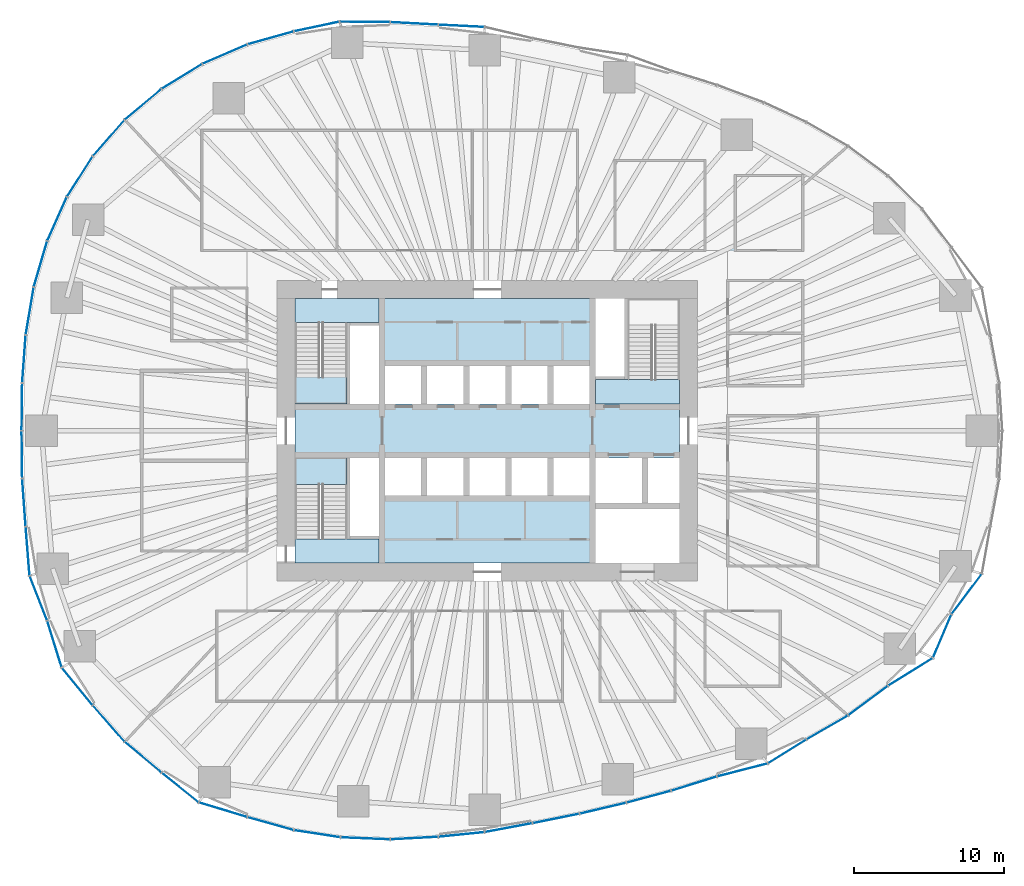
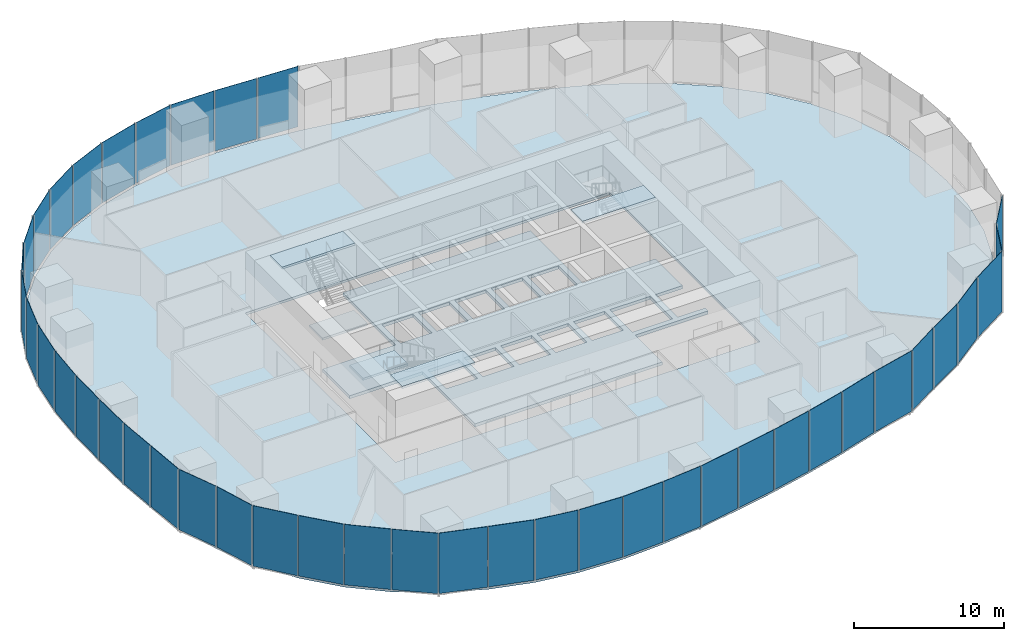
# One storey, part 8 of 20: 42 plates, 7 slabs, 17 elements without a shape of their own.
"""IFC4 building model written with IfcOpenShell, lengths in metres."""

from ifc_helpers import new_model, si_unit, direction, frame, origin, origin_2d, place, context, subcontext, project, spatial, polyline, rectangle, outline, extrude, material, layer, layer_set, type_object, element, aggregate, save


model = new_model("IFC4")

# Units and contexts
model_context = context("Model", 3, precision=1e-05, world=origin(), true_north=direction((0.0, 1.0)))
body_context = subcontext(model_context, "Body", "Model", "MODEL_VIEW")
ifc_project = project(units=[si_unit("LENGTHUNIT", "METRE"), si_unit("AREAUNIT", "SQUARE_METRE"), si_unit("VOLUMEUNIT", "CUBIC_METRE"), si_unit("PLANEANGLEUNIT", "RADIAN"), si_unit("MASSUNIT", "GRAM", prefix="KILO")], contexts=[model_context])

# Site, building, storey
site_placement = place(None, origin())
site = spatial("IfcSite", under=ifc_project, at=site_placement, CompositionType="ELEMENT")
building_placement = place(site_placement, origin())
building = spatial("IfcBuilding", under=site, at=building_placement, Name="Ghaith Harvest Tower", CompositionType="ELEMENT")
storey_placement = place(building_placement, frame((0.0, 0.0, 25.0)))
storey = spatial("IfcBuildingStorey", under=building, at=storey_placement, Name="L05", CompositionType="ELEMENT", Elevation=25.0)

# Curtain wall, plates
ifc_material_1 = material(Name="Black anodised aluminium and fritted glass", Category="aluminium")
curtain_wall_type = type_object("IfcCurtainWallType", Name="CW-F CURTAIN WALL", PredefinedType="NOTDEFINED", material=ifc_material_1)
curtain_wall_1_placement = place(storey_placement, origin())
curtain_wall_1 = element("IfcCurtainWall", 1, at=curtain_wall_1_placement, inside=storey, type_object=curtain_wall_type, Name="Curtain wall CW-F bay 06 L05", PredefinedType="NOTDEFINED")
ifc_material_2 = material(Name="Glass, high-transmission fritted double glazed unit", Category="glass")
ifc_layer_1 = layer(ifc_material_2, 0.028076171875)
ifc_layer_set_1 = layer_set([ifc_layer_1], Name="CW-F VISION PANEL")
plate_type = type_object("IfcPlateType", Name="CW-F VISION PANEL", PredefinedType="CURTAIN_PANEL", material=ifc_layer_set_1)
plate_1_placement = place(storey_placement, frame((-1.722900390625, 26.953369140625, 0.080078125), z_axis=(0.0, 0.0, 1.0), x_axis=(-0.998771443485, 0.049554048048, 0.0)))
plate_1 = element("IfcPlate", 2, at=plate_1_placement, type_object=plate_type, Name="CW-F panel 1 bay 06 L05", PredefinedType="CURTAIN_PANEL", context=body_context, shape_type="SweptSolid", body=[
    extrude(rectangle(XDim=3.001708984375, YDim=0.028076171875, at=origin_2d()), origin(), (0.0, 0.0, 1.0), 4.919921875),
])
plate_2_placement = place(storey_placement, frame((-4.863525390625, 27.11572265625, 0.080078125), z_axis=(0.0, 0.0, 1.0), x_axis=(-0.99856250263, 0.053599704667, 0.0)))
plate_2 = element("IfcPlate", 3, at=plate_2_placement, type_object=plate_type, Name="CW-F panel 2 bay 06 L05", PredefinedType="CURTAIN_PANEL", context=body_context, shape_type="SweptSolid", body=[
    extrude(rectangle(XDim=3.1279296875, YDim=0.028076171875, at=origin_2d()), origin(), (0.0, 0.0, 1.0), 4.919921875),
])
plate_3_placement = place(storey_placement, frame((-8.150390625, 27.217041015625, 0.080078125), z_axis=(0.0, 0.0, 1.0), x_axis=(-0.999959609481, 0.008987736446, 0.0)))
plate_3 = element("IfcPlate", 4, at=plate_3_placement, type_object=plate_type, Name="CW-F panel 3 bay 06 L05", PredefinedType="CURTAIN_PANEL", context=body_context, shape_type="SweptSolid", body=[
    extrude(rectangle(XDim=3.29052734375, YDim=0.028076171875, at=origin_2d()), origin(), (0.0, 0.0, 1.0), 4.919921875),
])
aggregate(curtain_wall_1, [plate_1, plate_2, plate_3])

curtain_wall_2_placement = place(storey_placement, origin())
curtain_wall_2 = element("IfcCurtainWall", 5, at=curtain_wall_2_placement, inside=storey, type_object=curtain_wall_type, Name="Curtain wall CW-F bay 07 L05", PredefinedType="NOTDEFINED")
plate_4_placement = place(storey_placement, frame((-11.358154296875, 26.908447265625, 0.080078125), z_axis=(0.0, 0.0, 1.0), x_axis=(-0.978149320779, -0.207903598476, 0.0)))
plate_4 = element("IfcPlate", 6, at=plate_4_placement, type_object=plate_type, Name="CW-F panel 1 bay 07 L05", PredefinedType="CURTAIN_PANEL", context=body_context, shape_type="SweptSolid", body=[
    extrude(rectangle(XDim=3.032958984375, YDim=0.028076171875, at=origin_2d()), origin(), (0.0, 0.0, 1.0), 4.919921875),
])
plate_5_placement = place(storey_placement, frame((-14.42578125, 26.150634765625, 0.080078125), z_axis=(0.0, 0.0, 1.0), x_axis=(-0.96272968243, -0.270465448012, 0.0)))
plate_5 = element("IfcPlate", 7, at=plate_5_placement, type_object=plate_type, Name="CW-F panel 2 bay 07 L05", PredefinedType="CURTAIN_PANEL", context=body_context, shape_type="SweptSolid", body=[
    extrude(rectangle(XDim=3.13037109375, YDim=0.028076171875, at=origin_2d()), origin(), (0.0, 0.0, 1.0), 4.919921875),
])
plate_6_placement = place(storey_placement, frame((-17.46923828125, 25.0693359375, 0.080078125), z_axis=(0.0, 0.0, 1.0), x_axis=(-0.918002845228, -0.396573796605, 0.0)))
plate_6 = element("IfcPlate", 8, at=plate_6_placement, type_object=plate_type, Name="CW-F panel 3 bay 07 L05", PredefinedType="CURTAIN_PANEL", context=body_context, shape_type="SweptSolid", body=[
    extrude(rectangle(XDim=3.18359375, YDim=0.028076171875, at=origin_2d()), origin(), (0.0, 0.0, 1.0), 4.919921875),
])
aggregate(curtain_wall_2, [plate_4, plate_5, plate_6])

curtain_wall_3_placement = place(storey_placement, origin())
curtain_wall_3 = element("IfcCurtainWall", 9, at=curtain_wall_3_placement, inside=storey, type_object=curtain_wall_type, Name="Curtain wall CW-F bay 08 L05", PredefinedType="NOTDEFINED")
plate_7_placement = place(storey_placement, frame((-20.324462890625, 23.590087890625, 0.080078125), z_axis=(0.0, 0.0, 1.0), x_axis=(-0.852527741552, -0.522681977769, 0.0)))
plate_7 = element("IfcPlate", 10, at=plate_7_placement, type_object=plate_type, Name="CW-F panel 1 bay 08 L05", PredefinedType="CURTAIN_PANEL", context=body_context, shape_type="SweptSolid", body=[
    extrude(rectangle(XDim=3.10400390625, YDim=0.028076171875, at=origin_2d()), origin(), (0.0, 0.0, 1.0), 4.919921875),
])
plate_8_placement = place(storey_placement, frame((-22.91064453125, 21.727294921875, 0.080078125), z_axis=(0.0, 0.0, 1.0), x_axis=(-0.766155215147, -0.642655573619, 0.0)))
plate_8 = element("IfcPlate", 11, at=plate_8_placement, type_object=plate_type, Name="CW-F panel 2 bay 08 L05", PredefinedType="CURTAIN_PANEL", context=body_context, shape_type="SweptSolid", body=[
    extrude(rectangle(XDim=3.1279296875, YDim=0.028076171875, at=origin_2d()), origin(), (0.0, 0.0, 1.0), 4.919921875),
])
plate_9_placement = place(storey_placement, frame((-25.201171875, 19.4853515625, 0.080078125), z_axis=(0.0, 0.0, 1.0), x_axis=(-0.659215937547, -0.751953687194, 0.0)))
plate_9 = element("IfcPlate", 12, at=plate_9_placement, type_object=plate_type, Name="CW-F panel 3 bay 08 L05", PredefinedType="CURTAIN_PANEL", context=body_context, shape_type="SweptSolid", body=[
    extrude(rectangle(XDim=3.1416015625, YDim=0.028076171875, at=origin_2d()), origin(), (0.0, 0.0, 1.0), 4.919921875),
])
aggregate(curtain_wall_3, [plate_7, plate_8, plate_9])

curtain_wall_4_placement = place(storey_placement, origin())
curtain_wall_4 = element("IfcCurtainWall", 13, at=curtain_wall_4_placement, inside=storey, type_object=curtain_wall_type, Name="Curtain wall CW-F bay 09 L05", PredefinedType="NOTDEFINED")
plate_10_placement = place(storey_placement, frame((-27.124755859375, 16.919677734375, 0.080078125), z_axis=(0.0, 0.0, 1.0), x_axis=(-0.536779195227, -0.843722759899, 0.0)))
plate_10 = element("IfcPlate", 14, at=plate_10_placement, type_object=plate_type, Name="CW-F panel 1 bay 09 L05", PredefinedType="CURTAIN_PANEL", context=body_context, shape_type="SweptSolid", body=[
    extrude(rectangle(XDim=3.13037109375, YDim=0.028076171875, at=origin_2d()), origin(), (0.0, 0.0, 1.0), 4.919921875),
])
plate_11_placement = place(storey_placement, frame((-28.639404296875, 14.100341796875, 0.080078125), z_axis=(0.0, 0.0, 1.0), x_axis=(-0.407134417018, -0.913368253488, 0.0)))
plate_11 = element("IfcPlate", 15, at=plate_11_placement, type_object=plate_type, Name="CW-F panel 2 bay 09 L05", PredefinedType="CURTAIN_PANEL", context=body_context, shape_type="SweptSolid", body=[
    extrude(rectangle(XDim=3.1279296875, YDim=0.028076171875, at=origin_2d()), origin(), (0.0, 0.0, 1.0), 4.919921875),
])
plate_12_placement = place(storey_placement, frame((-29.740478515625, 11.101318359375, 0.080078125), z_axis=(0.0, 0.0, 1.0), x_axis=(-0.280296918708, -0.959913348882, 0.0)))
plate_12 = element("IfcPlate", 16, at=plate_12_placement, type_object=plate_type, Name="CW-F panel 3 bay 09 L05", PredefinedType="CURTAIN_PANEL", context=body_context, shape_type="SweptSolid", body=[
    extrude(rectangle(XDim=3.1162109375, YDim=0.028076171875, at=origin_2d()), origin(), (0.0, 0.0, 1.0), 4.919921875),
])
aggregate(curtain_wall_4, [plate_10, plate_11, plate_12])

curtain_wall_5_placement = place(storey_placement, origin())
curtain_wall_5 = element("IfcCurtainWall", 17, at=curtain_wall_5_placement, inside=storey, type_object=curtain_wall_type, Name="Curtain wall CW-F bay 10 L05", PredefinedType="NOTDEFINED")
plate_13_placement = place(storey_placement, frame((-30.456298828125, 7.971435546875, 0.080078125), z_axis=(0.0, 0.0, 1.0), x_axis=(-0.165581316368, -0.986196140567, 0.0)))
plate_13 = element("IfcPlate", 18, at=plate_13_placement, type_object=plate_type, Name="CW-F panel 1 bay 10 L05", PredefinedType="CURTAIN_PANEL", context=body_context, shape_type="SweptSolid", body=[
    extrude(rectangle(XDim=3.156494140625, YDim=0.028076171875, at=origin_2d()), origin(), (0.0, 0.0, 1.0), 4.919921875),
])
plate_14_placement = place(storey_placement, frame((-30.84033203125, 4.77685546875, 0.080078125), z_axis=(0.0, 0.0, 1.0), x_axis=(-0.072420546123, -0.997374184797, 0.0)))
plate_14 = element("IfcPlate", 19, at=plate_14_placement, type_object=plate_type, Name="CW-F panel 2 bay 10 L05", PredefinedType="CURTAIN_PANEL", context=body_context, shape_type="SweptSolid", body=[
    extrude(rectangle(XDim=3.1259765625, YDim=0.028076171875, at=origin_2d()), origin(), (0.0, 0.0, 1.0), 4.919921875),
])
plate_15_placement = place(storey_placement, frame((-30.975830078125, 1.589111328125, 0.080078125), z_axis=(0.0, 0.0, 1.0), x_axis=(-0.012133206476, -0.999926389941, 0.0)))
plate_15 = element("IfcPlate", 20, at=plate_15_placement, type_object=plate_type, Name="CW-F panel 3 bay 10 L05", PredefinedType="CURTAIN_PANEL", context=body_context, shape_type="SweptSolid", body=[
    extrude(rectangle(XDim=3.09814453125, YDim=0.028076171875, at=origin_2d()), origin(), (0.0, 0.0, 1.0), 4.919921875),
])
aggregate(curtain_wall_5, [plate_13, plate_14, plate_15])

curtain_wall_6_placement = place(storey_placement, origin())
curtain_wall_6 = element("IfcCurtainWall", 21, at=curtain_wall_6_placement, inside=storey, type_object=curtain_wall_type, Name="Curtain wall CW-F bay 11 L05", PredefinedType="NOTDEFINED")
plate_16_placement = place(storey_placement, frame((-30.975830078125, -1.589111328125, 0.080078125), z_axis=(0.0, 0.0, 1.0), x_axis=(0.012133206773, -0.999926389937, 0.0)))
plate_16 = element("IfcPlate", 22, at=plate_16_placement, type_object=plate_type, Name="CW-F panel 1 bay 11 L05", PredefinedType="CURTAIN_PANEL", context=body_context, shape_type="SweptSolid", body=[
    extrude(rectangle(XDim=3.09814453125, YDim=0.028076171875, at=origin_2d()), origin(), (0.0, 0.0, 1.0), 4.919921875),
])
plate_17_placement = place(storey_placement, frame((-30.84033203125, -4.77685546875, 0.080078125), z_axis=(0.0, 0.0, 1.0), x_axis=(0.072420546349, -0.99737418478, 0.0)))
plate_17 = element("IfcPlate", 23, at=plate_17_placement, type_object=plate_type, Name="CW-F panel 2 bay 11 L05", PredefinedType="CURTAIN_PANEL", context=body_context, shape_type="SweptSolid", body=[
    extrude(rectangle(XDim=3.1259765625, YDim=0.028076171875, at=origin_2d()), origin(), (0.0, 0.0, 1.0), 4.919921875),
])
plate_18_placement = place(storey_placement, frame((-30.594482421875, -8.01513671875, 0.080078125), z_axis=(0.0, 0.0, 1.0), x_axis=(0.078867084181, -0.996885140341, 0.0)))
plate_18 = element("IfcPlate", 24, at=plate_18_placement, type_object=plate_type, Name="CW-F panel 3 bay 11 L05", PredefinedType="CURTAIN_PANEL", context=body_context, shape_type="SweptSolid", body=[
    extrude(rectangle(XDim=3.209716796875, YDim=0.028076171875, at=origin_2d()), origin(), (0.0, 0.0, 1.0), 4.919921875),
])
aggregate(curtain_wall_6, [plate_16, plate_17, plate_18])

curtain_wall_7_placement = place(storey_placement, origin())
curtain_wall_7 = element("IfcCurtainWall", 25, at=curtain_wall_7_placement, inside=storey, type_object=curtain_wall_type, Name="Curtain wall CW-F bay 12 L05", PredefinedType="NOTDEFINED")
plate_19_placement = place(storey_placement, frame((-29.878662109375, -11.14501953125, 0.080078125), z_axis=(0.0, 0.0, 1.0), x_axis=(0.366039738151, -0.930599220983, 0.0)))
plate_19 = element("IfcPlate", 26, at=plate_19_placement, type_object=plate_type, Name="CW-F panel 1 bay 12 L05", PredefinedType="CURTAIN_PANEL", context=body_context, shape_type="SweptSolid", body=[
    extrude(rectangle(XDim=3.122802734375, YDim=0.028076171875, at=origin_2d()), origin(), (0.0, 0.0, 1.0), 4.919921875),
])
plate_20_placement = place(storey_placement, frame((-28.809814453125, -14.195068359375, 0.080078125), z_axis=(0.0, 0.0, 1.0), x_axis=(0.295583054454, -0.95531704576, 0.0)))
plate_20 = element("IfcPlate", 27, at=plate_20_placement, type_object=plate_type, Name="CW-F panel 2 bay 12 L05", PredefinedType="CURTAIN_PANEL", context=body_context, shape_type="SweptSolid", body=[
    extrude(rectangle(XDim=3.185546875, YDim=0.028076171875, at=origin_2d()), origin(), (0.0, 0.0, 1.0), 4.919921875),
])
plate_21_placement = place(storey_placement, frame((-27.295166015625, -17.014404296875, 0.080078125), z_axis=(0.0, 0.0, 1.0), x_axis=(0.633789860881, -0.773505276158, 0.0)))
plate_21 = element("IfcPlate", 28, at=plate_21_placement, type_object=plate_type, Name="CW-F panel 3 bay 12 L05", PredefinedType="CURTAIN_PANEL", context=body_context, shape_type="SweptSolid", body=[
    extrude(rectangle(XDim=3.1767578125, YDim=0.028076171875, at=origin_2d()), origin(), (0.0, 0.0, 1.0), 4.919921875),
])
aggregate(curtain_wall_7, [plate_19, plate_20, plate_21])

curtain_wall_8_placement = place(storey_placement, origin())
curtain_wall_8 = element("IfcCurtainWall", 29, at=curtain_wall_8_placement, inside=storey, type_object=curtain_wall_type, Name="Curtain wall CW-F bay 13 L05", PredefinedType="NOTDEFINED")
plate_22_placement = place(storey_placement, frame((-25.201171875, -19.4853515625, 0.080078125), z_axis=(0.0, 0.0, 1.0), x_axis=(0.659215937337, -0.751953687378, 0.0)))
plate_22 = element("IfcPlate", 30, at=plate_22_placement, type_object=plate_type, Name="CW-F panel 1 bay 13 L05", PredefinedType="CURTAIN_PANEL", context=body_context, shape_type="SweptSolid", body=[
    extrude(rectangle(XDim=3.1416015625, YDim=0.028076171875, at=origin_2d()), origin(), (0.0, 0.0, 1.0), 4.919921875),
])
plate_23_placement = place(storey_placement, frame((-22.91064453125, -21.727294921875, 0.080078125), z_axis=(0.0, 0.0, 1.0), x_axis=(0.76615521545, -0.642655573258, 0.0)))
plate_23 = element("IfcPlate", 31, at=plate_23_placement, type_object=plate_type, Name="CW-F panel 2 bay 13 L05", PredefinedType="CURTAIN_PANEL", context=body_context, shape_type="SweptSolid", body=[
    extrude(rectangle(XDim=3.1279296875, YDim=0.028076171875, at=origin_2d()), origin(), (0.0, 0.0, 1.0), 4.919921875),
])
plate_24_placement = place(storey_placement, frame((-20.447265625, -23.748046875, 0.080078125), z_axis=(0.0, 0.0, 1.0), x_axis=(0.780122054158, -0.625627349639, 0.0)))
plate_24 = element("IfcPlate", 32, at=plate_24_placement, type_object=plate_type, Name="CW-F panel 3 bay 13 L05", PredefinedType="CURTAIN_PANEL", context=body_context, shape_type="SweptSolid", body=[
    extrude(rectangle(XDim=3.085205078125, YDim=0.028076171875, at=origin_2d()), origin(), (0.0, 0.0, 1.0), 4.919921875),
])
aggregate(curtain_wall_8, [plate_22, plate_23, plate_24])

curtain_wall_9_placement = place(storey_placement, origin())
curtain_wall_9 = element("IfcCurtainWall", 33, at=curtain_wall_9_placement, inside=storey, type_object=curtain_wall_type, Name="Curtain wall CW-F bay 14 L05", PredefinedType="NOTDEFINED")
plate_25_placement = place(storey_placement, frame((-17.591796875, -25.227294921875, 0.080078125), z_axis=(0.0, 0.0, 1.0), x_axis=(0.95734234218, -0.288956121011, 0.0)))
plate_25 = element("IfcPlate", 34, at=plate_25_placement, type_object=plate_type, Name="CW-F panel 1 bay 14 L05", PredefinedType="CURTAIN_PANEL", context=body_context, shape_type="SweptSolid", body=[
    extrude(rectangle(XDim=3.3056640625, YDim=0.028076171875, at=origin_2d()), origin(), (0.0, 0.0, 1.0), 4.919921875),
])
plate_26_placement = place(storey_placement, frame((-14.42578125, -26.150634765625, 0.080078125), z_axis=(0.0, 0.0, 1.0), x_axis=(0.962729682704, -0.270465447038, 0.0)))
plate_26 = element("IfcPlate", 35, at=plate_26_placement, type_object=plate_type, Name="CW-F panel 2 bay 14 L05", PredefinedType="CURTAIN_PANEL", context=body_context, shape_type="SweptSolid", body=[
    extrude(rectangle(XDim=3.13037109375, YDim=0.028076171875, at=origin_2d()), origin(), (0.0, 0.0, 1.0), 4.919921875),
])
plate_27_placement = place(storey_placement, frame((-11.327392578125, -26.82373046875, 0.080078125), z_axis=(0.0, 0.0, 1.0), x_axis=(0.98836987371, -0.152069039392, 0.0)))
plate_27 = element("IfcPlate", 36, at=plate_27_placement, type_object=plate_type, Name="CW-F panel 3 bay 14 L05", PredefinedType="CURTAIN_PANEL", context=body_context, shape_type="SweptSolid", body=[
    extrude(rectangle(XDim=3.0625, YDim=0.028076171875, at=origin_2d()), origin(), (0.0, 0.0, 1.0), 4.919921875),
])
aggregate(curtain_wall_9, [plate_25, plate_26, plate_27])

curtain_wall_10_placement = place(storey_placement, origin())
curtain_wall_10 = element("IfcCurtainWall", 37, at=curtain_wall_10_placement, inside=storey, type_object=curtain_wall_type, Name="Curtain wall CW-F bay 15 L05", PredefinedType="NOTDEFINED")
plate_28_placement = place(storey_placement, frame((-8.119873046875, -27.13232421875, 0.080078125), z_axis=(0.0, 0.0, 1.0), x_axis=(0.999118988518, -0.041967210794, 0.0)))
plate_28 = element("IfcPlate", 38, at=plate_28_placement, type_object=plate_type, Name="CW-F panel 1 bay 15 L05", PredefinedType="CURTAIN_PANEL", context=body_context, shape_type="SweptSolid", body=[
    extrude(rectangle(XDim=3.232177734375, YDim=0.028076171875, at=origin_2d()), origin(), (0.0, 0.0, 1.0), 4.919921875),
])
plate_29_placement = place(storey_placement, frame((-4.863525390625, -27.11572265625, 0.080078125), z_axis=(0.0, 0.0, 1.0), x_axis=(0.998562502616, 0.053599704928, 0.0)))
plate_29 = element("IfcPlate", 39, at=plate_29_placement, type_object=plate_type, Name="CW-F panel 2 bay 15 L05", PredefinedType="CURTAIN_PANEL", context=body_context, shape_type="SweptSolid", body=[
    extrude(rectangle(XDim=3.1279296875, YDim=0.028076171875, at=origin_2d()), origin(), (0.0, 0.0, 1.0), 4.919921875),
])
plate_30_placement = place(storey_placement, frame((-1.722412109375, -26.87353515625, 0.080078125), z_axis=(0.0, 0.0, 1.0), x_axis=(0.99488222177, 0.101041401443, 0.0)))
plate_30 = element("IfcPlate", 40, at=plate_30_placement, type_object=plate_type, Name="CW-F panel 3 bay 15 L05", PredefinedType="CURTAIN_PANEL", context=body_context, shape_type="SweptSolid", body=[
    extrude(rectangle(XDim=3.014892578125, YDim=0.028076171875, at=origin_2d()), origin(), (0.0, 0.0, 1.0), 4.919921875),
])
aggregate(curtain_wall_10, [plate_28, plate_29, plate_30])

curtain_wall_11_placement = place(storey_placement, origin())
curtain_wall_11 = element("IfcCurtainWall", 41, at=curtain_wall_11_placement, inside=storey, type_object=curtain_wall_type, Name="Curtain wall CW-F bay 16 L05", PredefinedType="NOTDEFINED")
plate_31_placement = place(storey_placement, frame((1.4130859375, -26.420166015625, 0.080078125), z_axis=(0.0, 0.0, 1.0), x_axis=(0.983131230266, 0.182901569365, 0.0)))
plate_31 = element("IfcPlate", 42, at=plate_31_placement, type_object=plate_type, Name="CW-F panel 1 bay 16 L05", PredefinedType="CURTAIN_PANEL", context=body_context, shape_type="SweptSolid", body=[
    extrude(rectangle(XDim=3.166748046875, YDim=0.028076171875, at=origin_2d()), origin(), (0.0, 0.0, 1.0), 4.919921875),
])
plate_32_placement = place(storey_placement, frame((4.5732421875, -25.809326171875, 0.080078125), z_axis=(0.0, 0.0, 1.0), x_axis=(0.98043234808, 0.196856320293, 0.0)))
plate_32 = element("IfcPlate", 43, at=plate_32_placement, type_object=plate_type, Name="CW-F panel 2 bay 16 L05", PredefinedType="CURTAIN_PANEL", context=body_context, shape_type="SweptSolid", body=[
    extrude(rectangle(XDim=3.1103515625, YDim=0.028076171875, at=origin_2d()), origin(), (0.0, 0.0, 1.0), 4.919921875),
])
plate_33_placement = place(storey_placement, frame((7.697265625, -25.129150390625, 0.080078125), z_axis=(0.0, 0.0, 1.0), x_axis=(0.973564757908, 0.228411169079, 0.0)))
plate_33 = element("IfcPlate", 44, at=plate_33_placement, type_object=plate_type, Name="CW-F panel 3 bay 16 L05", PredefinedType="CURTAIN_PANEL", context=body_context, shape_type="SweptSolid", body=[
    extrude(rectangle(XDim=3.125, YDim=0.028076171875, at=origin_2d()), origin(), (0.0, 0.0, 1.0), 4.919921875),
])
aggregate(curtain_wall_11, [plate_31, plate_32, plate_33])

curtain_wall_12_placement = place(storey_placement, origin())
curtain_wall_12 = element("IfcCurtainWall", 45, at=curtain_wall_12_placement, inside=storey, type_object=curtain_wall_type, Name="Curtain wall CW-F bay 17 L05", PredefinedType="NOTDEFINED")
plate_34_placement = place(storey_placement, frame((10.745849609375, -24.36376953125, 0.080078125), z_axis=(0.0, 0.0, 1.0), x_axis=(0.965848435029, 0.259107700681, 0.0)))
plate_34 = element("IfcPlate", 46, at=plate_34_placement, type_object=plate_type, Name="CW-F panel 1 bay 17 L05", PredefinedType="CURTAIN_PANEL", context=body_context, shape_type="SweptSolid", body=[
    extrude(rectangle(XDim=3.002197265625, YDim=0.028076171875, at=origin_2d()), origin(), (0.0, 0.0, 1.0), 4.919921875),
])
plate_35_placement = place(storey_placement, frame((13.760986328125, -23.490234375, 0.080078125), z_axis=(0.0, 0.0, 1.0), x_axis=(0.954988265447, 0.296643578827, 0.0)))
plate_35 = element("IfcPlate", 47, at=plate_35_placement, type_object=plate_type, Name="CW-F panel 2 bay 17 L05", PredefinedType="CURTAIN_PANEL", context=body_context, shape_type="SweptSolid", body=[
    extrude(rectangle(XDim=3.1171875, YDim=0.028076171875, at=origin_2d()), origin(), (0.0, 0.0, 1.0), 4.919921875),
])
plate_36_placement = place(storey_placement, frame((16.980712890625, -22.580322265625, 0.080078125), z_axis=(0.0, 0.0, 1.0), x_axis=(0.968451429434, 0.249202385275, 0.0)))
plate_36 = element("IfcPlate", 48, at=plate_36_placement, type_object=plate_type, Name="CW-F panel 3 bay 17 L05", PredefinedType="CURTAIN_PANEL", context=body_context, shape_type="SweptSolid", body=[
    extrude(rectangle(XDim=3.416748046875, YDim=0.028076171875, at=origin_2d()), origin(), (0.0, 0.0, 1.0), 4.919921875),
])
aggregate(curtain_wall_12, [plate_34, plate_35, plate_36])

curtain_wall_13_placement = place(storey_placement, origin())
curtain_wall_13 = element("IfcCurtainWall", 49, at=curtain_wall_13_placement, inside=storey, type_object=curtain_wall_type, Name="Curtain wall CW-F bay 18 L05", PredefinedType="NOTDEFINED")
plate_37_placement = place(storey_placement, frame((19.954833984375, -21.348876953125, 0.080078125), z_axis=(0.0, 0.0, 1.0), x_axis=(0.849360700005, 0.527812846837, 0.0)))
plate_37 = element("IfcPlate", 50, at=plate_37_placement, type_object=plate_type, Name="CW-F panel 1 bay 18 L05", PredefinedType="CURTAIN_PANEL", context=body_context, shape_type="SweptSolid", body=[
    extrude(rectangle(XDim=2.935791015625, YDim=0.028076171875, at=origin_2d()), origin(), (0.0, 0.0, 1.0), 4.919921875),
])
plate_38_placement = place(storey_placement, frame((22.626953125, -19.750244140625, 0.080078125), z_axis=(0.0, 0.0, 1.0), x_axis=(0.866159208454, 0.499768171866, 0.0)))
plate_38 = element("IfcPlate", 51, at=plate_38_placement, type_object=plate_type, Name="CW-F panel 2 bay 18 L05", PredefinedType="CURTAIN_PANEL", context=body_context, shape_type="SweptSolid", body=[
    extrude(rectangle(XDim=3.1328125, YDim=0.028076171875, at=origin_2d()), origin(), (0.0, 0.0, 1.0), 4.919921875),
])
plate_39_placement = place(storey_placement, frame((25.34619140625, -17.96142578125, 0.080078125), z_axis=(0.0, 0.0, 1.0), x_axis=(0.802866788713, 0.596158468515, 0.0)))
plate_39 = element("IfcPlate", 52, at=plate_39_placement, type_object=plate_type, Name="CW-F panel 3 bay 18 L05", PredefinedType="CURTAIN_PANEL", context=body_context, shape_type="SweptSolid", body=[
    extrude(rectangle(XDim=3.2275390625, YDim=0.028076171875, at=origin_2d()), origin(), (0.0, 0.0, 1.0), 4.919921875),
])
aggregate(curtain_wall_13, [plate_37, plate_38, plate_39])

curtain_wall_14_placement = place(storey_placement, origin())
curtain_wall_14 = element("IfcCurtainWall", 53, at=curtain_wall_14_placement, inside=storey, type_object=curtain_wall_type, Name="Curtain wall CW-F bay 19 L05", PredefinedType="NOTDEFINED")
plate_40_placement = place(storey_placement, frame((28.166748046875, -16.05126953125, 0.080078125), z_axis=(0.0, 0.0, 1.0), x_axis=(0.850245604669, 0.526386181184, 0.0)))
plate_40 = element("IfcPlate", 54, at=plate_40_placement, type_object=plate_type, Name="CW-F panel 1 bay 19 L05", PredefinedType="CURTAIN_PANEL", context=body_context, shape_type="SweptSolid", body=[
    extrude(rectangle(XDim=3.431884765625, YDim=0.028076171875, at=origin_2d()), origin(), (0.0, 0.0, 1.0), 4.919921875),
])
plate_41_placement = place(storey_placement, frame((30.2783203125, -13.6708984375, 0.080078125), z_axis=(0.0, 0.0, 1.0), x_axis=(0.390980294296, 0.920399049039, 0.0)))
plate_41 = element("IfcPlate", 55, at=plate_41_placement, type_object=plate_type, Name="CW-F panel 2 bay 19 L05", PredefinedType="CURTAIN_PANEL", context=body_context, shape_type="SweptSolid", body=[
    extrude(rectangle(XDim=3.083740234375, YDim=0.028076171875, at=origin_2d()), origin(), (0.0, 0.0, 1.0), 4.919921875),
])
plate_42_placement = place(storey_placement, frame((31.91015625, -10.865234375, 0.080078125), z_axis=(0.0, 0.0, 1.0), x_axis=(0.600454091429, 0.799659229976, 0.0)))
plate_42 = element("IfcPlate", 56, at=plate_42_placement, type_object=plate_type, Name="CW-F panel 3 bay 19 L05", PredefinedType="CURTAIN_PANEL", context=body_context, shape_type="SweptSolid", body=[
    extrude(rectangle(XDim=3.295654296875, YDim=0.028076171875, at=origin_2d()), origin(), (0.0, 0.0, 1.0), 4.919921875),
])
aggregate(curtain_wall_14, [plate_40, plate_41, plate_42])

# Slabs
ifc_material_3 = material(Name="Concrete C40/50", Category="concrete")
ifc_layer_2 = layer(ifc_material_3, 0.199951171875)
ifc_layer_set_2 = layer_set([ifc_layer_2], Name="FLOOR SLAB 200")
slab_type_1 = type_object("IfcSlabType", Name="FLOOR SLAB 200", PredefinedType="FLOOR", material=ifc_layer_set_2)
slab_1_placement = place(storey_placement, frame((0.0, 0.0, -0.199951171875)))
element("IfcSlab", 57, at=slab_1_placement, inside=storey, type_object=slab_type_1, Name="Floor slab L05", PredefinedType="FLOOR", context=body_context, shape_type="SweptSolid", body=[
    extrude(outline(polyline([(34.125, 0.0), (33.95849609375, 3.194091796875), (33.37158203125, 6.333984375), (32.318359375, 9.3408203125), (30.78515625, 12.1708984375), (28.840087890625, 14.708984375), (26.572509765625, 16.9111328125), (23.92431640625, 18.873046875), (21.149169921875, 20.469482421875), (18.34521484375, 21.7548828125), (15.22119140625, 22.916259765625), (12.1796875, 23.857666015625), (9.21533203125, 24.65087890625), (6.10888671875, 25.378662109375), (2.99560546875, 26.004150390625), (-0.181396484375, 26.527099609375), (-3.24755859375, 26.91064453125), (-6.4375, 27.0849609375), (-9.733642578125, 26.949951171875), (-12.828125, 26.476806640625), (-15.907958984375, 25.614501953125), (-18.8935546875, 24.32763671875), (-21.59912109375, 22.671142578125), (-24.04833984375, 20.618408203125), (-26.16455078125, 18.20556640625), (-27.881591796875, 15.507080078125), (-29.182373046875, 12.587890625), (-30.073974609375, 9.531005859375), (-30.606689453125, 6.35107421875), (-30.837158203125, 3.165771484375), (-30.875, 0.0), (-30.837158203125, -3.165771484375), (-30.606689453125, -6.35107421875), (-30.073974609375, -9.531005859375), (-29.182373046875, -12.587890625), (-27.881591796875, -15.507080078125), (-26.16455078125, -18.20556640625), (-24.04833984375, -20.618408203125), (-21.59912109375, -22.671142578125), (-18.8935546875, -24.32763671875), (-15.907958984375, -25.614501953125), (-12.828125, -26.476806640625), (-9.733642578125, -26.949951171875), (-6.4375, -27.0849609375), (-3.24755859375, -26.91064453125), (-0.181396484375, -26.527099609375), (2.99560546875, -26.004150390625), (6.10888671875, -25.378662109375), (9.21533203125, -24.65087890625), (12.1796875, -23.857666015625), (15.22119140625, -22.916259765625), (18.34521484375, -21.7548828125), (21.149169921875, -20.469482421875), (23.92431640625, -18.873046875), (26.572509765625, -16.9111328125), (28.840087890625, -14.708984375), (30.78515625, -12.1708984375), (32.318359375, -9.3408203125), (33.37158203125, -6.333984375), (33.95849609375, -3.194091796875), (34.125, 0.0)]), holes=[polyline([(-14.0, -10.0), (14.0, -10.0), (14.0, 10.0), (-14.0, 10.0), (-14.0, -10.0)])]), origin(), (0.0, 0.0, 1.0), 0.199951171875),
])
ifc_material_4 = material(Name="Concrete C40/50", Category="concrete")
ifc_layer_3 = layer(ifc_material_4, 0.25)
ifc_layer_set_3 = layer_set([ifc_layer_3], Name="FLOOR SLAB 250")
slab_type_2 = type_object("IfcSlabType", Name="FLOOR SLAB 250", PredefinedType="FLOOR", material=ifc_layer_set_3)
slab_2_placement = place(storey_placement, frame((0.0, 0.0, -0.25)))
element("IfcSlab", 58, at=slab_2_placement, inside=storey, type_object=slab_type_2, Name="Core slab L05", PredefinedType="FLOOR", context=body_context, shape_type="SweptSolid", body=[
    extrude(outline(polyline([(-12.800048828125, 1.800048828125), (-7.199951171875, 1.800048828125), (-7.199951171875, 8.800048828125), (7.199951171875, 8.800048828125), (7.199951171875, 1.800048828125), (12.800048828125, 1.800048828125), (12.800048828125, -1.800048828125), (10.699951171875, -1.800048828125), (10.699951171875, -4.800048828125), (12.800048828125, -4.800048828125), (12.800048828125, -5.199951171875), (7.199951171875, -5.199951171875), (7.199951171875, -8.800048828125), (-7.199951171875, -8.800048828125), (-7.199951171875, -1.800048828125), (-12.800048828125, -1.800048828125), (-12.800048828125, 1.800048828125)]), holes=[polyline([(-4.39990234375, -4.300048828125), (-4.39990234375, -1.800048828125), (-6.800048828125, -1.800048828125), (-6.800048828125, -4.300048828125), (-4.39990234375, -4.300048828125)]), polyline([(-1.60009765625, -4.300048828125), (-1.60009765625, -1.800048828125), (-4.0, -1.800048828125), (-4.0, -4.300048828125), (-1.60009765625, -4.300048828125)]), polyline([(1.199951171875, -4.300048828125), (1.199951171875, -1.800048828125), (-1.199951171875, -1.800048828125), (-1.199951171875, -4.300048828125), (1.199951171875, -4.300048828125)]), polyline([(-4.39990234375, 1.800048828125), (-4.39990234375, 4.300048828125), (-6.800048828125, 4.300048828125), (-6.800048828125, 1.800048828125), (-4.39990234375, 1.800048828125)]), polyline([(-1.60009765625, 1.800048828125), (-1.60009765625, 4.300048828125), (-4.0, 4.300048828125), (-4.0, 1.800048828125), (-1.60009765625, 1.800048828125)]), polyline([(1.199951171875, 1.800048828125), (1.199951171875, 4.300048828125), (-1.199951171875, 4.300048828125), (-1.199951171875, 1.800048828125), (1.199951171875, 1.800048828125)]), polyline([(10.300048828125, -4.800048828125), (10.300048828125, -1.800048828125), (7.199951171875, -1.800048828125), (7.199951171875, -4.800048828125), (10.300048828125, -4.800048828125)]), polyline([(4.0, -4.300048828125), (4.0, -1.800048828125), (1.60009765625, -1.800048828125), (1.60009765625, -4.300048828125), (4.0, -4.300048828125)]), polyline([(6.800048828125, -4.300048828125), (6.800048828125, -1.800048828125), (4.39990234375, -1.800048828125), (4.39990234375, -4.300048828125), (6.800048828125, -4.300048828125)]), polyline([(4.0, 1.800048828125), (4.0, 4.300048828125), (1.60009765625, 4.300048828125), (1.60009765625, 1.800048828125), (4.0, 1.800048828125)]), polyline([(6.800048828125, 1.800048828125), (6.800048828125, 4.300048828125), (4.39990234375, 4.300048828125), (4.39990234375, 1.800048828125), (6.800048828125, 1.800048828125)])]), origin(), (0.0, 0.0, 1.0), 0.25),
])

# Stair, slabs
ifc_material_5 = material(Name="Concrete C40/50, precast", Category="concrete")
stair_type = type_object("IfcStairType", Name="CORE STAIR 28R", PredefinedType="HALF_TURN_STAIR", material=ifc_material_5)
stair_1_placement = place(storey_placement, origin())
stair_1 = element("IfcStair", 59, at=stair_1_placement, inside=storey, type_object=stair_type, Name="Stair ST1 L05", PredefinedType="HALF_TURN_STAIR")
ifc_material_6 = material(Name="Concrete C40/50, precast", Category="concrete")
ifc_layer_4 = layer(ifc_material_6, 0.179931640625)
ifc_layer_set_4 = layer_set([ifc_layer_4], Name="STAIR LANDING 180")
slab_type_3 = type_object("IfcSlabType", Name="STAIR LANDING 180", PredefinedType="LANDING", material=ifc_layer_set_4)
slab_3_placement = place(storey_placement, frame((0.0, 0.0, 2.320068359375)))
slab_3 = element("IfcSlab", 60, at=slab_3_placement, type_object=slab_type_3, Name="ST1 landing 1", PredefinedType="LANDING", context=body_context, shape_type="SweptSolid", body=[
    extrude(outline(polyline([(-12.800048828125, 3.580078125), (-12.800048828125, 1.800048828125), (-9.35009765625, 1.800048828125), (-9.35009765625, 3.580078125), (-12.800048828125, 3.580078125)])), origin(), (0.0, 0.0, 1.0), 0.179931640625),
])
slab_4_placement = place(storey_placement, frame((0.0, 0.0, 4.820068359375)))
slab_4 = element("IfcSlab", 61, at=slab_4_placement, type_object=slab_type_3, Name="ST1 landing 2", PredefinedType="LANDING", context=body_context, shape_type="SweptSolid", body=[
    extrude(outline(polyline([(-12.800048828125, 8.800048828125), (-12.800048828125, 7.199951171875), (-7.199951171875, 7.199951171875), (-7.199951171875, 8.800048828125), (-12.800048828125, 8.800048828125)])), origin(), (0.0, 0.0, 1.0), 0.179931640625),
])
aggregate(stair_1, [slab_3, slab_4])

stair_2_placement = place(storey_placement, origin())
stair_2 = element("IfcStair", 62, at=stair_2_placement, inside=storey, type_object=stair_type, Name="Stair ST3 L05", PredefinedType="HALF_TURN_STAIR")
slab_5_placement = place(storey_placement, frame((0.0, 0.0, 2.320068359375)))
slab_5 = element("IfcSlab", 63, at=slab_5_placement, type_object=slab_type_3, Name="ST3 landing 1", PredefinedType="LANDING", context=body_context, shape_type="SweptSolid", body=[
    extrude(outline(polyline([(-12.800048828125, -3.580078125), (-12.800048828125, -1.800048828125), (-9.35009765625, -1.800048828125), (-9.35009765625, -3.580078125), (-12.800048828125, -3.580078125)])), origin(), (0.0, 0.0, 1.0), 0.179931640625),
])
slab_6_placement = place(storey_placement, frame((0.0, 0.0, 4.820068359375)))
slab_6 = element("IfcSlab", 64, at=slab_6_placement, type_object=slab_type_3, Name="ST3 landing 2", PredefinedType="LANDING", context=body_context, shape_type="SweptSolid", body=[
    extrude(outline(polyline([(-12.800048828125, -8.800048828125), (-12.800048828125, -7.199951171875), (-7.199951171875, -7.199951171875), (-7.199951171875, -8.800048828125), (-12.800048828125, -8.800048828125)])), origin(), (0.0, 0.0, 1.0), 0.179931640625),
])
aggregate(stair_2, [slab_5, slab_6])

# Stair, slab
stair_3_placement = place(storey_placement, origin())
stair_3 = element("IfcStair", 65, at=stair_3_placement, inside=storey, type_object=stair_type, Name="Stair ST2 L05", PredefinedType="HALF_TURN_STAIR")
slab_7_placement = place(storey_placement, frame((0.0, 0.0, 4.820068359375)))
slab_7 = element("IfcSlab", 66, at=slab_7_placement, type_object=slab_type_3, Name="ST2 landing 2", PredefinedType="LANDING", context=body_context, shape_type="SweptSolid", body=[
    extrude(outline(polyline([(12.800048828125, 1.800048828125), (12.800048828125, 3.39990234375), (7.199951171875, 3.39990234375), (7.199951171875, 1.800048828125), (12.800048828125, 1.800048828125)])), origin(), (0.0, 0.0, 1.0), 0.179931640625),
])
aggregate(stair_3, [slab_7])

save(model, "model.ifc")
